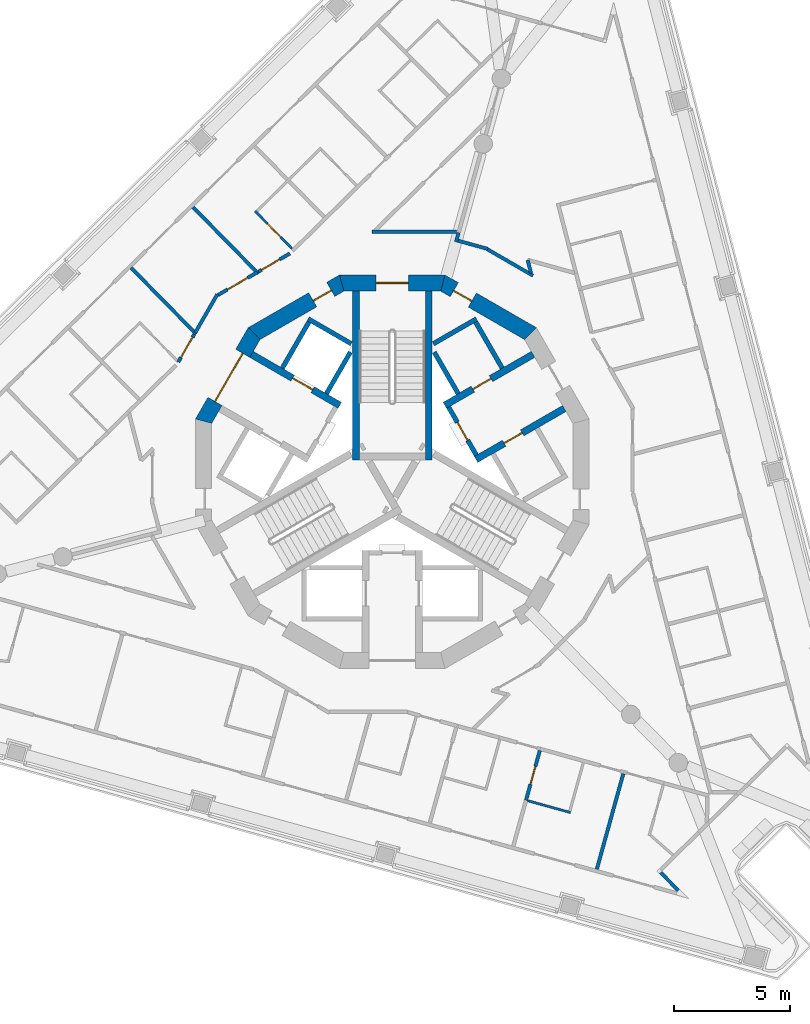
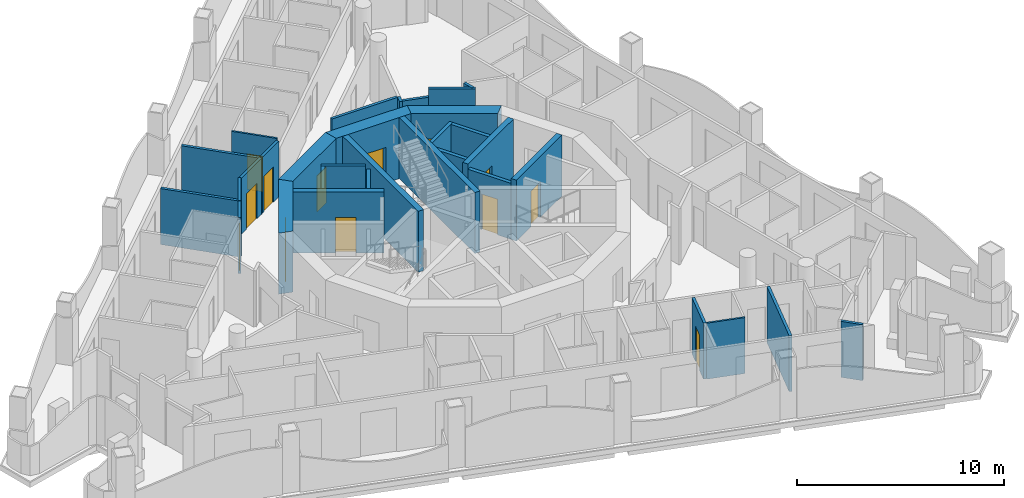
# One storey, part 5 of 14: 32 walls, 13 doors, 13 openings.
"""IFC4 building model written with IfcOpenShell, lengths in metres."""

from ifc_helpers import new_model, si_unit, direction, frame, frame_2d, origin, place, context, subcontext, project, spatial, polyline, rectangle, outline, extrude, material, layer, layer_set, type_object, element, fill, save


model = new_model("IFC4")

# Units and contexts
model_context = context("Model", 3, precision=1e-05, world=origin(), true_north=direction((0.0, 1.0)))
body_context = subcontext(model_context, "Body", "Model", "MODEL_VIEW")
ifc_project = project(units=[si_unit("LENGTHUNIT", "METRE"), si_unit("AREAUNIT", "SQUARE_METRE"), si_unit("VOLUMEUNIT", "CUBIC_METRE"), si_unit("PLANEANGLEUNIT", "RADIAN"), si_unit("MASSUNIT", "GRAM", prefix="KILO")], contexts=[model_context])

# Site, building, storey
site_placement = place(None, origin())
site = spatial("IfcSite", under=ifc_project, at=site_placement, CompositionType="ELEMENT")
building_placement = place(site_placement, origin())
building = spatial("IfcBuilding", under=site, at=building_placement, Name="Trine Commons Tower", CompositionType="ELEMENT")
storey_placement = place(building_placement, frame((0.0, 0.0, 238.5)))
storey = spatial("IfcBuildingStorey", under=building, at=storey_placement, Name="L62", CompositionType="ELEMENT", Elevation=238.5)

# Wall
ifc_material_1 = material(Name="Aluminium-framed insulated wall panel", Category="aluminium")
ifc_layer_1 = layer(ifc_material_1, 0.14990234375)
ifc_layer_set_1 = layer_set([ifc_layer_1], Name="Aluminium-framed insulated wall panel")
wall_type_1 = type_object("IfcWallType", Name="Glazed frame wall 150, EI 60", PredefinedType="SOLIDWALL", material=ifc_layer_set_1)
wall_1_placement = place(storey_placement, frame((91.510498046875, 45.2724609375, 0.0), z_axis=(0.0, 0.0, 1.0), x_axis=(0.700999978355, -0.71316129336, 0.0)))
element("IfcWall", 1, at=wall_1_placement, inside=storey, type_object=wall_type_1, Name="Glazed frame wall R8", PredefinedType="SOLIDWALL", context=body_context, shape_type="SweptSolid", body=[
    extrude(outline(polyline([(0.110107421875, 0.074951171875), (0.110107421875, -0.074951171875), (1.19580078125, -0.074951171875), (1.19580078125, 0.074951171875), (0.110107421875, 0.074951171875)])), origin(), (0.0, 0.0, 1.0), 3.300048828125),
])

# Wall, opening, door
ifc_material_2 = material(Name="Fire-rated gypsum shaft wall system")
ifc_layer_2 = layer(ifc_material_2, 0.199951171875)
ifc_layer_set_2 = layer_set([ifc_layer_2], Name="Fire-rated gypsum shaft wall system")
wall_type_2 = type_object("IfcWallType", Name="Lobby end wall 200 mm, EI 120", PredefinedType="PARTITIONING", material=ifc_layer_set_2)
wall_2_placement = place(storey_placement, frame((83.631103515625, 63.2109375, 0.0), z_axis=(0.0, 0.0, 1.0), x_axis=(-0.50012165622, 0.865955154139, 0.0)))
wall_2 = element("IfcWall", 2, at=wall_2_placement, inside=storey, type_object=wall_type_2, Name="Lobby end wall L62", PredefinedType="PARTITIONING", context=body_context, shape_type="SweptSolid", body=[
    extrude(rectangle(XDim=2.39990234375, YDim=0.199951171875, at=frame_2d((1.199951171875, 0.0))), origin(), (0.0, 0.0, 1.0), 3.300048828125),
])
opening_1_placement = place(wall_2_placement, frame((0.749755859375, 0.0, 0.0)))
opening_1 = element("IfcOpeningElement", 3, at=opening_1_placement, cuts=wall_2, Name="Opening K16.05", PredefinedType="OPENING", context=body_context, shape_type="SweptSolid", body=[
    extrude(rectangle(XDim=0.89990234375, YDim=2.10009765625, at=frame_2d((0.449951171875, 1.050048828125))), frame((0.0, 0.10986328125, 0.0), z_axis=(0.0, -1.0, 0.0), x_axis=(1.0, 0.0, 0.0)), (0.0, 0.0, 1.0), 0.219970703125),
])
ifc_material_3 = material(Name="Steel door leaf, fire-rated", Category="steel")
door_type_1 = type_object("IfcDoorType", Name="Riser access door, single leaf 900 x 2100, FD60", OperationType="SINGLE_SWING_LEFT", PredefinedType="DOOR", material=ifc_material_3)
door_1_placement = place(opening_1_placement, frame((0.89990234375, 0.0, 0.0), z_axis=(0.0, 0.0, 1.0), x_axis=(-1.0, 0.0, 0.0)))
door_1 = element("IfcDoor", 4, at=door_1_placement, inside=storey, type_object=door_type_1, Name="Riser door, Electrical riser L62", OperationType="SINGLE_SWING_LEFT", OverallHeight=2.10009765625, OverallWidth=0.89990234375, PredefinedType="DOOR", context=body_context, shape_type="SweptSolid", body=[
    extrude(rectangle(XDim=0.89990234375, YDim=2.10009765625, at=frame_2d((0.449951171875, 1.050048828125))), frame((0.0, 0.02490234375, 0.0), z_axis=(0.0, -1.0, 0.0), x_axis=(1.0, 0.0, 0.0)), (0.0, 0.0, 1.0), 0.050048828125),
])
fill(opening_1, door_1)

ifc_material_4 = material(Name="Concrete C50/60", Category="concrete")
ifc_layer_3 = layer(ifc_material_4, 0.300048828125)
ifc_layer_set_3 = layer_set([ifc_layer_3], Name="Concrete C50/60")
wall_type_3 = type_object("IfcWallType", Name="RC shear wall 300 mm, C50/60", PredefinedType="SHEAR", material=ifc_layer_set_3)
wall_3_placement = place(storey_placement, frame((77.73095703125, 65.368896484375, 0.0), z_axis=(0.0, 0.0, 1.0), x_axis=(-0.866035918664, 0.499981787252, 0.0)))
wall_3 = element("IfcWall", 5, at=wall_3_placement, inside=storey, type_object=wall_type_3, Name="Core cross wall SWC-02 L62", PredefinedType="SHEAR", context=body_context, shape_type="SweptSolid", body=[
    extrude(rectangle(XDim=4.400634765625, YDim=0.300048828125, at=frame_2d((2.2001953125, 0.0))), origin(), (0.0, 0.0, 1.0), 3.60009765625),
])
opening_2_placement = place(wall_3_placement, frame((1.3505859375, 0.0, 0.0)))
opening_2 = element("IfcOpeningElement", 6, at=opening_2_placement, cuts=wall_3, Name="Opening LD8", PredefinedType="OPENING", context=body_context, shape_type="SweptSolid", body=[
    extrude(rectangle(XDim=1.0, YDim=2.10009765625, at=frame_2d((0.5, 1.050048828125))), frame((0.0, 0.159912109375, 0.0), z_axis=(0.0, -1.0, 0.0), x_axis=(1.0, 0.0, 0.0)), (0.0, 0.0, 1.0), 0.320068359375),
])
ifc_material_5 = material(Name="Stainless steel sliding door leaves", Category="steel")
door_type_2 = type_object("IfcDoorType", Name="Lift landing door, centre-opening sliding 1000 x 2100, FD90", OperationType="DOUBLE_DOOR_SLIDING", PredefinedType="DOOR", material=ifc_material_5)
door_2_placement = place(opening_2_placement, origin())
door_2 = element("IfcDoor", 7, at=door_2_placement, inside=storey, type_object=door_type_2, Name="Lift landing door HR4 L62", OperationType="DOUBLE_DOOR_SLIDING", OverallHeight=2.10009765625, OverallWidth=1.0, PredefinedType="DOOR", context=body_context, shape_type="SweptSolid", body=[
    extrude(rectangle(XDim=1.0, YDim=2.10009765625, at=frame_2d((0.5, 1.050048828125))), frame((0.0, 0.02490234375, 0.0), z_axis=(0.0, -1.0, 0.0), x_axis=(1.0, 0.0, 0.0)), (0.0, 0.0, 1.0), 0.050048828125),
])
fill(opening_2, door_2)

wall_4_placement = place(storey_placement, frame((82.26904296875, 65.368896484375, 0.0), z_axis=(0.0, 0.0, 1.0), x_axis=(0.866035918664, 0.499981787252, 0.0)))
wall_4 = element("IfcWall", 8, at=wall_4_placement, inside=storey, type_object=wall_type_3, Name="Core cross wall SWC-05 L62", PredefinedType="SHEAR", context=body_context, shape_type="SweptSolid", body=[
    extrude(rectangle(XDim=4.400634765625, YDim=0.300048828125, at=frame_2d((2.2001953125, 0.0))), origin(), (0.0, 0.0, 1.0), 3.60009765625),
])
opening_3_placement = place(wall_4_placement, frame((1.400390625, 0.0, 0.0)))
opening_3 = element("IfcOpeningElement", 9, at=opening_3_placement, cuts=wall_4, Name="Opening K16.10", PredefinedType="OPENING", context=body_context, shape_type="SweptSolid", body=[
    extrude(rectangle(XDim=0.89990234375, YDim=2.10009765625, at=frame_2d((0.449951171875, 1.050048828125))), frame((0.0, 0.159912109375, 0.0), z_axis=(0.0, -1.0, 0.0), x_axis=(1.0, 0.0, 0.0)), (0.0, 0.0, 1.0), 0.320068359375),
])
door_type_3 = type_object("IfcDoorType", Name="Core room door, single leaf 900 x 2100, FD30S", OperationType="SINGLE_SWING_LEFT", PredefinedType="DOOR", material=ifc_material_3)
door_3_placement = place(opening_3_placement, origin())
door_3 = element("IfcDoor", 10, at=door_3_placement, inside=storey, type_object=door_type_3, Name="Door to Comms room L62", OperationType="SINGLE_SWING_LEFT", OverallHeight=2.10009765625, OverallWidth=0.89990234375, PredefinedType="DOOR", context=body_context, shape_type="SweptSolid", body=[
    extrude(rectangle(XDim=0.89990234375, YDim=2.10009765625, at=frame_2d((0.449951171875, 1.050048828125))), frame((0.0, 0.02490234375, 0.0), z_axis=(0.0, -1.0, 0.0), x_axis=(1.0, 0.0, 0.0)), (0.0, 0.0, 1.0), 0.050048828125),
])
fill(opening_3, door_3)

wall_5_placement = place(storey_placement, frame((83.618896484375, 63.031005859375, 0.0), z_axis=(0.0, 0.0, 1.0), x_axis=(0.866059941101, 0.499940174841, 0.0)))
wall_5 = element("IfcWall", 11, at=wall_5_placement, inside=storey, type_object=wall_type_3, Name="Core cross wall SWC-06 L62", PredefinedType="SHEAR", context=body_context, shape_type="SweptSolid", body=[
    extrude(rectangle(XDim=4.400390625, YDim=0.300048828125, at=frame_2d((2.2001953125, 0.0))), origin(), (0.0, 0.0, 1.0), 3.60009765625),
])
opening_4_placement = place(wall_5_placement, frame((1.400390625, 0.0, 0.0)))
opening_4 = element("IfcOpeningElement", 12, at=opening_4_placement, cuts=wall_5, Name="Opening K16.11", PredefinedType="OPENING", context=body_context, shape_type="SweptSolid", body=[
    extrude(rectangle(XDim=0.89990234375, YDim=2.10009765625, at=frame_2d((0.449951171875, 1.050048828125))), frame((0.0, 0.159912109375, 0.0), z_axis=(0.0, -1.0, 0.0), x_axis=(1.0, 0.0, 0.0)), (0.0, 0.0, 1.0), 0.320068359375),
])
door_4_placement = place(opening_4_placement, frame((0.89990234375, 0.0, 0.0), z_axis=(0.0, 0.0, 1.0), x_axis=(-1.0, 0.0, 0.0)))
door_4 = element("IfcDoor", 13, at=door_4_placement, inside=storey, type_object=door_type_3, Name="Door to Parcel store L62", OperationType="SINGLE_SWING_LEFT", OverallHeight=2.10009765625, OverallWidth=0.89990234375, PredefinedType="DOOR", context=body_context, shape_type="SweptSolid", body=[
    extrude(rectangle(XDim=0.89990234375, YDim=2.10009765625, at=frame_2d((0.449951171875, 1.050048828125))), frame((0.0, 0.02490234375, 0.0), z_axis=(0.0, -1.0, 0.0), x_axis=(1.0, 0.0, 0.0)), (0.0, 0.0, 1.0), 0.050048828125),
])
fill(opening_4, door_4)

# Walls
for number, where, z_axis, x_axis, name in (
    (14, (78.425048828125, 63.0009765625, 0.0), (0.0, 0.0, 1.0), (0.0, 1.0, 0.0), "Core cross wall SWC-08 L62"),
    (15, (81.574951171875, 63.0009765625, 0.0), (0.0, 0.0, 1.0), (0.0, 1.0, 0.0), "Core cross wall SWC-17 L62"),
):
    element("IfcWall", number, at=place(storey_placement, frame(where, z_axis=z_axis, x_axis=x_axis)), inside=storey, type_object=wall_type_3, Name=name, PredefinedType="SHEAR", context=body_context, shape_type="SweptSolid", body=[
        extrude(rectangle(XDim=7.299072265625, YDim=0.300048828125, at=frame_2d((3.6494140625, 0.0))), origin(), (0.0, 0.0, 1.0), 3.60009765625),
    ])

# Wall, opening, door
ifc_layer_4 = layer(ifc_material_4, 0.699951171875)
ifc_layer_set_4 = layer_set([ifc_layer_4], Name="Concrete C50/60")
wall_type_4 = type_object("IfcWallType", Name="RC shear wall 700 mm, C50/60", PredefinedType="SHEAR", material=ifc_layer_set_4)
wall_6_placement = place(storey_placement, frame((86.047607421875, 68.41943359375, 0.0), z_axis=(0.0, 0.0, 1.0), x_axis=(-0.866034756103, 0.499983800959, 0.0)))
wall_6 = element("IfcWall", 16, at=wall_6_placement, inside=storey, type_object=wall_type_4, Name="Core wall CWG-03 L62", PredefinedType="SHEAR", context=body_context, shape_type="SweptSolid", body=[
    extrude(outline(polyline([(0.0, -0.35009765625), (4.55517578125, -0.35009765625), (4.36767578125, 0.35009765625), (0.1875, 0.35009765625), (0.0, -0.35009765625)])), origin(), (0.0, 0.0, 1.0), 3.60009765625),
])
opening_5_placement = place(wall_6_placement, frame((2.990966796875, 0.0, 0.0)))
opening_5 = element("IfcOpeningElement", 17, at=opening_5_placement, cuts=wall_6, Name="Opening K16.12", PredefinedType="OPENING", context=body_context, shape_type="SweptSolid", body=[
    extrude(rectangle(XDim=0.89990234375, YDim=2.10009765625, at=frame_2d((0.449951171875, 1.050048828125))), frame((0.0, 0.35986328125, 0.0), z_axis=(0.0, -1.0, 0.0), x_axis=(1.0, 0.0, 0.0)), (0.0, 0.0, 1.0), 0.719970703125),
])
door_5_placement = place(opening_5_placement, origin())
door_5 = element("IfcDoor", 18, at=door_5_placement, inside=storey, type_object=door_type_3, Name="Door to Core WC L62", OperationType="SINGLE_SWING_RIGHT", OverallHeight=2.10009765625, OverallWidth=0.89990234375, PredefinedType="DOOR", context=body_context, shape_type="SweptSolid", body=[
    extrude(rectangle(XDim=0.89990234375, YDim=2.10009765625, at=frame_2d((0.449951171875, 1.050048828125))), frame((0.0, 0.0751953125, 0.0), z_axis=(0.0, -1.0, 0.0), x_axis=(1.0, 0.0, 0.0)), (0.0, 0.0, 1.0), 0.050048828125),
])
fill(opening_5, door_5)

wall_7_placement = place(storey_placement, frame((82.277587890625, 70.650146484375, 0.0), z_axis=(0.0, 0.0, 1.0), x_axis=(-1.0, 0.0, 0.0)))
wall_7 = element("IfcWall", 19, at=wall_7_placement, inside=storey, type_object=wall_type_4, Name="Core wall CWG-04 L62", PredefinedType="SHEAR", context=body_context, shape_type="SweptSolid", body=[
    extrude(outline(polyline([(0.0, -0.35009765625), (4.55517578125, -0.35009765625), (4.36767578125, 0.35009765625), (0.1875, 0.35009765625), (0.0, -0.35009765625)])), origin(), (0.0, 0.0, 1.0), 3.60009765625),
])
opening_6_placement = place(wall_7_placement, frame((1.57763671875, 0.0, 0.0)))
opening_6 = element("IfcOpeningElement", 20, at=opening_6_placement, cuts=wall_7, Name="Opening K16.01", PredefinedType="OPENING", context=body_context, shape_type="SweptSolid", body=[
    extrude(rectangle(XDim=1.39990234375, YDim=2.10009765625, at=frame_2d((0.699951171875, 1.050048828125))), frame((0.0, 0.35986328125, 0.0), z_axis=(0.0, -1.0, 0.0), x_axis=(1.0, 0.0, 0.0)), (0.0, 0.0, 1.0), 0.719970703125),
])
ifc_material_6 = material(Name="Steel door leaves, fire-rated", Category="steel")
door_type_4 = type_object("IfcDoorType", Name="Stair door, double leaf 1400 x 2100, FD90", OperationType="DOUBLE_DOOR_SINGLE_SWING", PredefinedType="DOOR", material=ifc_material_6)
door_6_placement = place(opening_6_placement, origin())
door_6 = element("IfcDoor", 21, at=door_6_placement, inside=storey, type_object=door_type_4, Name="Stair door to Exit stair ST1C L62", OperationType="DOUBLE_DOOR_SINGLE_SWING", OverallHeight=2.10009765625, OverallWidth=1.39990234375, PredefinedType="DOOR", context=body_context, shape_type="SweptSolid", body=[
    extrude(rectangle(XDim=1.39990234375, YDim=2.10009765625, at=frame_2d((0.699951171875, 1.050048828125))), frame((0.0, 0.02490234375, 0.0), z_axis=(0.0, -1.0, 0.0), x_axis=(1.0, 0.0, 0.0)), (0.0, 0.0, 1.0), 0.050048828125),
])
fill(opening_6, door_6)

wall_8_placement = place(storey_placement, frame((77.8974609375, 70.697021484375, 0.0), z_axis=(0.0, 0.0, 1.0), x_axis=(-0.866034756103, -0.499983800959, 0.0)))
wall_8 = element("IfcWall", 22, at=wall_8_placement, inside=storey, type_object=wall_type_4, Name="Core wall CWG-05 L62", PredefinedType="SHEAR", context=body_context, shape_type="SweptSolid", body=[
    extrude(outline(polyline([(0.0, -0.35009765625), (4.55517578125, -0.35009765625), (4.36767578125, 0.35009765625), (0.1875, 0.35009765625), (0.0, -0.35009765625)])), origin(), (0.0, 0.0, 1.0), 3.60009765625),
])
opening_7_placement = place(wall_8_placement, frame((0.641845703125, 0.0, 0.0)))
opening_7 = element("IfcOpeningElement", 23, at=opening_7_placement, cuts=wall_8, Name="Opening K16.13", PredefinedType="OPENING", context=body_context, shape_type="SweptSolid", body=[
    extrude(rectangle(XDim=0.89990234375, YDim=2.10009765625, at=frame_2d((0.449951171875, 1.050048828125))), frame((0.0, 0.35986328125, 0.0), z_axis=(0.0, -1.0, 0.0), x_axis=(1.0, 0.0, 0.0)), (0.0, 0.0, 1.0), 0.719970703125),
])
door_7_placement = place(opening_7_placement, origin())
door_7 = element("IfcDoor", 24, at=door_7_placement, inside=storey, type_object=door_type_3, Name="Door to Accessible WC L62", OperationType="SINGLE_SWING_LEFT", OverallHeight=2.10009765625, OverallWidth=0.89990234375, PredefinedType="DOOR", context=body_context, shape_type="SweptSolid", body=[
    extrude(rectangle(XDim=0.89990234375, YDim=2.10009765625, at=frame_2d((0.449951171875, 1.050048828125))), frame((0.0, 0.0751953125, 0.0), z_axis=(0.0, -1.0, 0.0), x_axis=(1.0, 0.0, 0.0)), (0.0, 0.0, 1.0), 0.050048828125),
])
fill(opening_7, door_7)

wall_9_placement = place(storey_placement, frame((74.08056640625, 68.547607421875, 0.0), z_axis=(0.0, 0.0, 1.0), x_axis=(-0.499983800959, -0.866034756103, 0.0)))
wall_9 = element("IfcWall", 25, at=wall_9_placement, inside=storey, type_object=wall_type_4, Name="Core wall CWG-06 L62", PredefinedType="SHEAR", context=body_context, shape_type="SweptSolid", body=[
    extrude(outline(polyline([(0.0, -0.35009765625), (4.55517578125, -0.35009765625), (4.36767578125, 0.35009765625), (0.1875, 0.35009765625), (0.0, -0.35009765625)])), origin(), (0.0, 0.0, 1.0), 3.60009765625),
])
opening_8_placement = place(wall_9_placement, frame((1.077392578125, 0.0, 0.0)))
opening_8 = element("IfcOpeningElement", 26, at=opening_8_placement, cuts=wall_9, Name="Opening K16.06", PredefinedType="OPENING", context=body_context, shape_type="SweptSolid", body=[
    extrude(rectangle(XDim=2.39990234375, YDim=2.10009765625, at=frame_2d((1.199951171875, 1.050048828125))), frame((0.0, 0.35986328125, 0.0), z_axis=(0.0, -1.0, 0.0), x_axis=(1.0, 0.0, 0.0)), (0.0, 0.0, 1.0), 0.719970703125),
])
door_type_5 = type_object("IfcDoorType", Name="Lobby door, double leaf 2400 x 2100, FD60", OperationType="DOUBLE_DOOR_SINGLE_SWING", PredefinedType="DOOR", material=ifc_material_6)
door_8_placement = place(opening_8_placement, origin())
door_8 = element("IfcDoor", 27, at=door_8_placement, inside=storey, type_object=door_type_5, Name="Lobby door, Passenger lift lobby B L62", OperationType="DOUBLE_DOOR_SINGLE_SWING", OverallHeight=2.10009765625, OverallWidth=2.39990234375, PredefinedType="DOOR", context=body_context, shape_type="SweptSolid", body=[
    extrude(rectangle(XDim=2.39990234375, YDim=2.10009765625, at=frame_2d((1.199951171875, 1.050048828125))), frame((0.0, 0.02490234375, 0.0), z_axis=(0.0, -1.0, 0.0), x_axis=(1.0, 0.0, 0.0)), (0.0, 0.0, 1.0), 0.050048828125),
])
fill(opening_8, door_8)

# Walls
ifc_layer_5 = layer(ifc_material_2, 0.199951171875)
ifc_layer_set_5 = layer_set([ifc_layer_5], Name="Fire-rated gypsum shaft wall system")
wall_type_5 = type_object("IfcWallType", Name="Shaft wall 200 mm, EI 120", PredefinedType="PARTITIONING", material=ifc_layer_set_5)
wall_10_placement = place(storey_placement, frame((75.2509765625, 66.97412109375, 0.0), z_axis=(0.0, 0.0, 1.0), x_axis=(0.500136062276, 0.86594683394, 0.0)))
element("IfcWall", 28, at=wall_10_placement, inside=storey, type_object=wall_type_5, Name="Shaft wall L62", PredefinedType="PARTITIONING", context=body_context, shape_type="SweptSolid", body=[
    extrude(rectangle(XDim=2.299072265625, YDim=0.199951171875, at=frame_2d((1.1494140625, 0.0))), origin(), (0.0, 0.0, 1.0), 3.300048828125),
])
wall_11_placement = place(storey_placement, frame((77.156005859375, 65.8740234375, 0.0), z_axis=(0.0, 0.0, 1.0), x_axis=(0.499865770674, 0.866102887253, 0.0)))
element("IfcWall", 29, at=wall_11_placement, inside=storey, type_object=wall_type_5, Name="Shaft wall L62", PredefinedType="PARTITIONING", context=body_context, shape_type="SweptSolid", body=[
    extrude(rectangle(XDim=2.064453125, YDim=0.199951171875, at=frame_2d((1.0322265625, 0.0))), origin(), (0.0, 0.0, 1.0), 3.300048828125),
])
for number, where, z_axis, x_axis, name in (
    (30, (78.22509765625, 68.028076171875, 0.0), (0.0, 0.0, 1.0), (-0.866130725101, 0.499817533742, 0.0), "Shaft wall L62"),
    (31, (81.77490234375, 68.028076171875, 0.0), (0.0, 0.0, 1.0), (0.866130725101, 0.499817533742, 0.0), "Shaft wall L62"),
):
    element("IfcWall", number, at=place(storey_placement, frame(where, z_axis=z_axis, x_axis=x_axis)), inside=storey, type_object=wall_type_5, Name=name, PredefinedType="PARTITIONING", context=body_context, shape_type="SweptSolid", body=[
        extrude(rectangle(XDim=2.148681640625, YDim=0.199951171875, at=frame_2d((1.07421875, 0.0))), origin(), (0.0, 0.0, 1.0), 3.300048828125),
    ])
wall_12_placement = place(storey_placement, frame((82.843994140625, 65.8740234375, 0.0), z_axis=(0.0, 0.0, 1.0), x_axis=(-0.499865770674, 0.866102887253, 0.0)))
element("IfcWall", 32, at=wall_12_placement, inside=storey, type_object=wall_type_5, Name="Shaft wall L62", PredefinedType="PARTITIONING", context=body_context, shape_type="SweptSolid", body=[
    extrude(rectangle(XDim=2.064453125, YDim=0.199951171875, at=frame_2d((1.0322265625, 0.0))), origin(), (0.0, 0.0, 1.0), 3.300048828125),
])
wall_13_placement = place(storey_placement, frame((84.7490234375, 66.97412109375, 0.0), z_axis=(0.0, 0.0, 1.0), x_axis=(-0.500136062276, 0.86594683394, 0.0)))
element("IfcWall", 33, at=wall_13_placement, inside=storey, type_object=wall_type_5, Name="Shaft wall L62", PredefinedType="PARTITIONING", context=body_context, shape_type="SweptSolid", body=[
    extrude(rectangle(XDim=2.299072265625, YDim=0.199951171875, at=frame_2d((1.1494140625, 0.0))), origin(), (0.0, 0.0, 1.0), 3.300048828125),
])
ifc_material_7 = material(Name="Gypsum plasterboard on steel stud", Category="steel")
ifc_layer_6 = layer(ifc_material_7, 0.14990234375)
ifc_layer_set_6 = layer_set([ifc_layer_6], Name="Gypsum plasterboard on steel stud")
wall_type_6 = type_object("IfcWallType", Name="Unit and corridor wall 150 mm, EI 60", PredefinedType="PARTITIONING", material=ifc_layer_set_6)
wall_14_placement = place(storey_placement, frame((68.720947265625, 71.3076171875, 0.0), z_axis=(0.0, 0.0, 1.0), x_axis=(0.700815785944, -0.713342298039, 0.0)))
element("IfcWall", 34, at=wall_14_placement, inside=storey, type_object=wall_type_6, Name="Partition 021", PredefinedType="PARTITIONING", context=body_context, shape_type="SweptSolid", body=[
    extrude(rectangle(XDim=4.014892578125, YDim=0.14990234375, at=frame_2d((2.00732421875, 0.0))), origin(), (0.0, 0.0, 1.0), 3.300048828125),
])

# Wall, opening, door
wall_15_placement = place(storey_placement, frame((70.758056640625, 67.242919921875, 0.0), z_axis=(0.0, 0.0, 1.0), x_axis=(0.49979916758, 0.866141323391, 0.0)))
wall_15 = element("IfcWall", 35, at=wall_15_placement, inside=storey, type_object=wall_type_6, Name="Partition 029", PredefinedType="PARTITIONING", context=body_context, shape_type="SweptSolid", body=[
    extrude(rectangle(XDim=1.37744140625, YDim=0.14990234375, at=frame_2d((0.688720703125, 0.0))), origin(), (0.0, 0.0, 1.0), 3.300048828125),
])
opening_9_placement = place(wall_15_placement, frame((0.2275390625, 0.0, 0.0)))
opening_9 = element("IfcOpeningElement", 36, at=opening_9_placement, cuts=wall_15, Name="Opening D-7A06", PredefinedType="OPENING", context=body_context, shape_type="SweptSolid", body=[
    extrude(rectangle(XDim=1.0, YDim=2.10009765625, at=frame_2d((0.5, 1.050048828125))), frame((0.0, 0.0849609375, 0.0), z_axis=(0.0, -1.0, 0.0), x_axis=(1.0, 0.0, 0.0)), (0.0, 0.0, 1.0), 0.169921875),
])
ifc_material_8 = material(Name="Timber fire door set", Category="wood")
door_type_6 = type_object("IfcDoorType", Name="Bedroom door 1000 x 2100, FD30S", OperationType="NOTDEFINED", PredefinedType="DOOR", material=ifc_material_8)
door_9_placement = place(opening_9_placement, origin())
door_9 = element("IfcDoor", 37, at=door_9_placement, inside=storey, type_object=door_type_6, Name="Door D-7A06", OperationType="SINGLE_SWING_RIGHT", OverallHeight=2.10009765625, OverallWidth=1.0, PredefinedType="DOOR", context=body_context, shape_type="SweptSolid", body=[
    extrude(rectangle(XDim=1.0, YDim=2.10009765625, at=frame_2d((0.5, 1.050048828125))), frame((0.0, 0.02490234375, 0.0), z_axis=(0.0, -1.0, 0.0), x_axis=(1.0, 0.0, 0.0)), (0.0, 0.0, 1.0), 0.050048828125),
])
fill(opening_9, door_9)

# Walls
wall_16_placement = place(storey_placement, frame((71.389892578125, 73.931396484375, 0.0), z_axis=(0.0, 0.0, 1.0), x_axis=(0.700963396894, -0.713197249164, 0.0)))
element("IfcWall", 38, at=wall_16_placement, inside=storey, type_object=wall_type_6, Name="Partition 030", PredefinedType="PARTITIONING", context=body_context, shape_type="SweptSolid", body=[
    extrude(rectangle(XDim=4.03125, YDim=0.14990234375, at=frame_2d((2.015625, 0.0))), origin(), (0.0, 0.0, 1.0), 3.300048828125),
])
wall_17_placement = place(storey_placement, frame((71.47998046875, 68.493896484375, 0.0), z_axis=(0.0, 0.0, 1.0), x_axis=(0.500205717672, 0.865906600049, 0.0)))
element("IfcWall", 39, at=wall_17_placement, inside=storey, type_object=wall_type_6, Name="Partition 031", PredefinedType="PARTITIONING", context=body_context, shape_type="SweptSolid", body=[
    extrude(rectangle(XDim=1.924072265625, YDim=0.14990234375, at=frame_2d((0.9619140625, 0.0))), origin(), (0.0, 0.0, 1.0), 3.300048828125),
])

# Wall, opening, door
wall_18_placement = place(storey_placement, frame((72.469970703125, 70.132568359375, 0.0), z_axis=(0.0, 0.0, 1.0), x_axis=(0.865963449651, 0.500107292357, 0.0)))
wall_18 = element("IfcWall", 40, at=wall_18_placement, inside=storey, type_object=wall_type_6, Name="Partition 032", PredefinedType="PARTITIONING", context=body_context, shape_type="SweptSolid", body=[
    extrude(rectangle(XDim=1.95849609375, YDim=0.14990234375, at=frame_2d((0.979248046875, 0.0))), origin(), (0.0, 0.0, 1.0), 3.300048828125),
])
opening_10_placement = place(wall_18_placement, frame((0.4775390625, 0.0, 0.0)))
opening_10 = element("IfcOpeningElement", 41, at=opening_10_placement, cuts=wall_18, Name="Opening D-7A07", PredefinedType="OPENING", context=body_context, shape_type="SweptSolid", body=[
    extrude(rectangle(XDim=1.0, YDim=2.10009765625, at=frame_2d((0.5, 1.050048828125))), frame((0.0, 0.0849609375, 0.0), z_axis=(0.0, -1.0, 0.0), x_axis=(1.0, 0.0, 0.0)), (0.0, 0.0, 1.0), 0.169921875),
])
ifc_material_9 = material(Name="Painted timber", Category="wood")
door_type_7 = type_object("IfcDoorType", Name="Amenity room door 1000 x 2100, NOT RATED", OperationType="NOTDEFINED", PredefinedType="DOOR", material=ifc_material_9)
door_10_placement = place(opening_10_placement, origin())
door_10 = element("IfcDoor", 42, at=door_10_placement, inside=storey, type_object=door_type_7, Name="Door D-7A07", OperationType="SINGLE_SWING_LEFT", OverallHeight=2.10009765625, OverallWidth=1.0, PredefinedType="DOOR", context=body_context, shape_type="SweptSolid", body=[
    extrude(rectangle(XDim=1.0, YDim=2.10009765625, at=frame_2d((0.5, 1.050048828125))), frame((0.0, 0.02490234375, 0.0), z_axis=(0.0, -1.0, 0.0), x_axis=(1.0, 0.0, 0.0)), (0.0, 0.0, 1.0), 0.050048828125),
])
fill(opening_10, door_10)

wall_19_placement = place(storey_placement, frame((74.22412109375, 71.1455078125, 0.0), z_axis=(0.0, 0.0, 1.0), x_axis=(0.866052944554, 0.499952294954, 0.0)))
wall_19 = element("IfcWall", 43, at=wall_19_placement, inside=storey, type_object=wall_type_6, Name="Partition 040", PredefinedType="PARTITIONING", context=body_context, shape_type="SweptSolid", body=[
    extrude(rectangle(XDim=1.563232421875, YDim=0.14990234375, at=frame_2d((0.78173828125, 0.0))), origin(), (0.0, 0.0, 1.0), 3.300048828125),
])
opening_11_placement = place(wall_19_placement, frame((0.14990234375, 0.0, 0.0)))
opening_11 = element("IfcOpeningElement", 44, at=opening_11_placement, cuts=wall_19, Name="Opening D-7A08", PredefinedType="OPENING", context=body_context, shape_type="SweptSolid", body=[
    extrude(rectangle(XDim=0.89990234375, YDim=2.10009765625, at=frame_2d((0.449951171875, 1.050048828125))), frame((0.0, 0.0849609375, 0.0), z_axis=(0.0, -1.0, 0.0), x_axis=(1.0, 0.0, 0.0)), (0.0, 0.0, 1.0), 0.169921875),
])
door_type_8 = type_object("IfcDoorType", Name="Bedroom door 900 x 2100, FD30S", OperationType="NOTDEFINED", PredefinedType="DOOR", material=ifc_material_8)
door_11_placement = place(opening_11_placement, origin())
door_11 = element("IfcDoor", 45, at=door_11_placement, inside=storey, type_object=door_type_8, Name="Door D-7A08", OperationType="SINGLE_SWING_LEFT", OverallHeight=2.10009765625, OverallWidth=0.89990234375, PredefinedType="DOOR", context=body_context, shape_type="SweptSolid", body=[
    extrude(rectangle(XDim=0.89990234375, YDim=2.10009765625, at=frame_2d((0.449951171875, 1.050048828125))), frame((0.0, 0.02490234375, 0.0), z_axis=(0.0, -1.0, 0.0), x_axis=(1.0, 0.0, 0.0)), (0.0, 0.0, 1.0), 0.050048828125),
])
fill(opening_11, door_11)

# Walls
wall_20_placement = place(storey_placement, frame((79.133056640625, 72.875, 0.0), z_axis=(0.0, 0.0, 1.0), x_axis=(1.0, 0.0, 0.0)))
element("IfcWall", 46, at=wall_20_placement, inside=storey, type_object=wall_type_6, Name="Partition 049", PredefinedType="PARTITIONING", context=body_context, shape_type="SweptSolid", body=[
    extrude(rectangle(XDim=3.64697265625, YDim=0.14990234375, at=frame_2d((1.823486328125, 0.0))), origin(), (0.0, 0.0, 1.0), 2.800048828125),
])
wall_21_placement = place(storey_placement, frame((82.7529296875, 72.42578125, 0.0), z_axis=(0.0, 0.0, 1.0), x_axis=(0.266887464326, 0.96372770085, 0.0)))
element("IfcWall", 47, at=wall_21_placement, inside=storey, type_object=wall_type_6, Name="Partition 061", PredefinedType="PARTITIONING", context=body_context, shape_type="SweptSolid", body=[
    extrude(rectangle(XDim=0.416259765625, YDim=0.14990234375, at=frame_2d((0.2080078125, 0.0))), origin(), (0.0, 0.0, 1.0), 2.800048828125),
])
wall_22_placement = place(storey_placement, frame((82.84521484375, 72.477783203125, 0.0), z_axis=(0.0, 0.0, 1.0), x_axis=(0.963623826389, -0.267262270467, 0.0)))
element("IfcWall", 48, at=wall_22_placement, inside=storey, type_object=wall_type_6, Name="Partition 062", PredefinedType="PARTITIONING", context=body_context, shape_type="SweptSolid", body=[
    extrude(rectangle(XDim=1.320068359375, YDim=0.14990234375, at=frame_2d((0.66015625, 0.0))), origin(), (0.0, 0.0, 1.0), 2.800048828125),
])
wall_23_placement = place(storey_placement, frame((84.10986328125, 72.107421875, 0.0), z_axis=(0.0, 0.0, 1.0), x_axis=(0.865965412825, -0.500103892997, 0.0)))
element("IfcWall", 49, at=wall_23_placement, inside=storey, type_object=wall_type_6, Name="Partition 066", PredefinedType="PARTITIONING", context=body_context, shape_type="SweptSolid", body=[
    extrude(rectangle(XDim=2.271484375, YDim=0.14990234375, at=frame_2d((1.1357421875, 0.0))), origin(), (0.0, 0.0, 1.0), 3.300048828125),
])

# Wall, opening, door
wall_24_placement = place(storey_placement, frame((85.77587890625, 48.31298828125, 0.0), z_axis=(0.0, 0.0, 1.0), x_axis=(0.267423129935, 0.963579197355, 0.0)))
wall_24 = element("IfcWall", 50, at=wall_24_placement, inside=storey, type_object=wall_type_6, Name="Partition 074", PredefinedType="PARTITIONING", context=body_context, shape_type="SweptSolid", body=[
    extrude(rectangle(XDim=2.224853515625, YDim=0.14990234375, at=frame_2d((1.1123046875, 0.0))), origin(), (0.0, 0.0, 1.0), 3.300048828125),
])
opening_12_placement = place(wall_24_placement, frame((0.71240234375, 0.0, 0.0)))
opening_12 = element("IfcOpeningElement", 51, at=opening_12_placement, cuts=wall_24, Name="Opening D-7A41", PredefinedType="OPENING", context=body_context, shape_type="SweptSolid", body=[
    extrude(rectangle(XDim=0.800048828125, YDim=2.10009765625, at=frame_2d((0.39990234375, 1.050048828125))), frame((0.0, 0.0849609375, 0.0), z_axis=(0.0, -1.0, 0.0), x_axis=(1.0, 0.0, 0.0)), (0.0, 0.0, 1.0), 0.169921875),
])
door_type_9 = type_object("IfcDoorType", Name="Internal door 800 x 2100, NOT RATED", OperationType="NOTDEFINED", PredefinedType="DOOR", material=ifc_material_9)
door_12_placement = place(opening_12_placement, origin())
door_12 = element("IfcDoor", 52, at=door_12_placement, inside=storey, type_object=door_type_9, Name="Door D-7A41", OperationType="SINGLE_SWING_RIGHT", OverallHeight=2.10009765625, OverallWidth=0.800048828125, PredefinedType="DOOR", context=body_context, shape_type="SweptSolid", body=[
    extrude(rectangle(XDim=0.800048828125, YDim=2.10009765625, at=frame_2d((0.39990234375, 1.050048828125))), frame((0.0, 0.02490234375, 0.0), z_axis=(0.0, -1.0, 0.0), x_axis=(1.0, 0.0, 0.0)), (0.0, 0.0, 1.0), 0.050048828125),
])
fill(opening_12, door_12)

# Walls
wall_25_placement = place(storey_placement, frame((85.847900390625, 71.64208984375, 0.0), z_axis=(0.0, 0.0, 1.0), x_axis=(0.250859734684, -0.968023446779, 0.0)))
element("IfcWall", 53, at=wall_25_placement, inside=storey, type_object=wall_type_6, Name="Partition 076", PredefinedType="PARTITIONING", context=body_context, shape_type="SweptSolid", body=[
    extrude(rectangle(XDim=0.5791015625, YDim=0.14990234375, at=frame_2d((0.28955078125, 0.0))), origin(), (0.0, 0.0, 1.0), 3.300048828125),
])
wall_26_placement = place(storey_placement, frame((88.832763671875, 45.327392578125, 0.0), z_axis=(0.0, 0.0, 1.0), x_axis=(0.267044344438, 0.963684241909, 0.0)))
element("IfcWall", 54, at=wall_26_placement, inside=storey, type_object=wall_type_6, Name="Partition 090", PredefinedType="PARTITIONING", context=body_context, shape_type="SweptSolid", body=[
    extrude(rectangle(XDim=4.284912109375, YDim=0.14990234375, at=frame_2d((2.142578125, 0.0))), origin(), (0.0, 0.0, 1.0), 3.300048828125),
])

# Wall, opening, door
ifc_layer_7 = layer(ifc_material_7, 0.10009765625)
ifc_layer_set_7 = layer_set([ifc_layer_7], Name="Gypsum plasterboard on steel stud")
wall_type_7 = type_object("IfcWallType", Name="Unit partition 100 mm, no rating", PredefinedType="PARTITIONING", material=ifc_layer_set_7)
wall_27_placement = place(storey_placement, frame((74.077880859375, 73.753662109375, 0.0), z_axis=(0.0, 0.0, 1.0), x_axis=(0.701016248593, -0.713145300207, 0.0)))
wall_27 = element("IfcWall", 55, at=wall_27_placement, inside=storey, type_object=wall_type_7, Name="Partition 038", PredefinedType="PARTITIONING", context=body_context, shape_type="SweptSolid", body=[
    extrude(rectangle(XDim=2.2744140625, YDim=0.10009765625, at=frame_2d((1.13720703125, 0.0))), origin(), (0.0, 0.0, 1.0), 3.300048828125),
])
opening_13_placement = place(wall_27_placement, frame((0.76220703125, 0.0, 0.0)))
opening_13 = element("IfcOpeningElement", 56, at=opening_13_placement, cuts=wall_27, Name="Opening D-7A31", PredefinedType="OPENING", context=body_context, shape_type="SweptSolid", body=[
    extrude(rectangle(XDim=0.800048828125, YDim=2.10009765625, at=frame_2d((0.39990234375, 1.050048828125))), frame((0.0, 0.06005859375, 0.0), z_axis=(0.0, -1.0, 0.0), x_axis=(1.0, 0.0, 0.0)), (0.0, 0.0, 1.0), 0.1201171875),
])
door_13_placement = place(opening_13_placement, frame((0.800048828125, 0.0, 0.0), z_axis=(0.0, 0.0, 1.0), x_axis=(-1.0, 0.0, 0.0)))
door_13 = element("IfcDoor", 57, at=door_13_placement, inside=storey, type_object=door_type_9, Name="Door D-7A31", OperationType="SINGLE_SWING_LEFT", OverallHeight=2.10009765625, OverallWidth=0.800048828125, PredefinedType="DOOR", context=body_context, shape_type="SweptSolid", body=[
    extrude(rectangle(XDim=0.800048828125, YDim=2.10009765625, at=frame_2d((0.39990234375, 1.050048828125))), frame((0.0, 0.02490234375, 0.0), z_axis=(0.0, -1.0, 0.0), x_axis=(1.0, 0.0, 0.0)), (0.0, 0.0, 1.0), 0.050048828125),
])
fill(opening_13, door_13)

# Wall
wall_28_placement = place(storey_placement, frame((85.848388671875, 48.29296875, 0.0), z_axis=(0.0, 0.0, 1.0), x_axis=(0.963625049046, -0.267257862095, 0.0)))
element("IfcWall", 58, at=wall_28_placement, inside=storey, type_object=wall_type_7, Name="Partition 075", PredefinedType="PARTITIONING", context=body_context, shape_type="SweptSolid", body=[
    extrude(rectangle(XDim=1.9248046875, YDim=0.10009765625, at=frame_2d((0.96240234375, 0.0))), origin(), (0.0, 0.0, 1.0), 3.300048828125),
])

save(model, "model.ifc")
